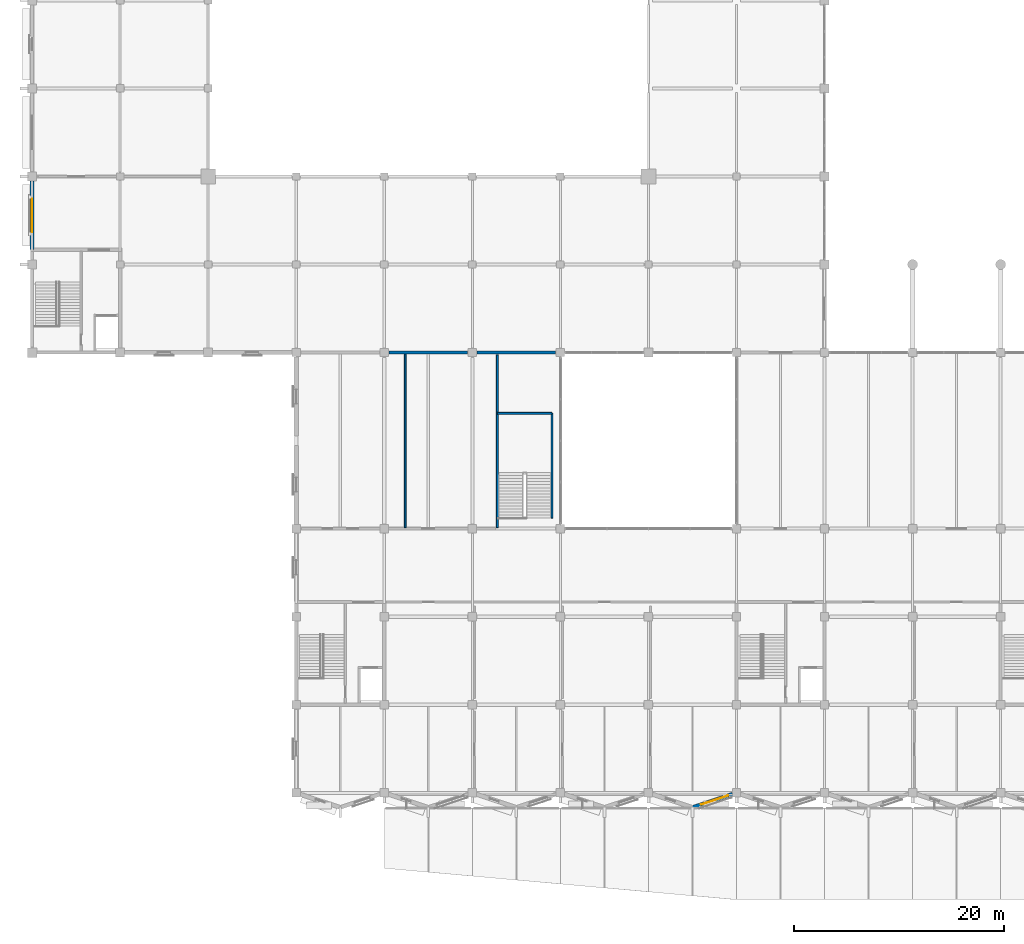
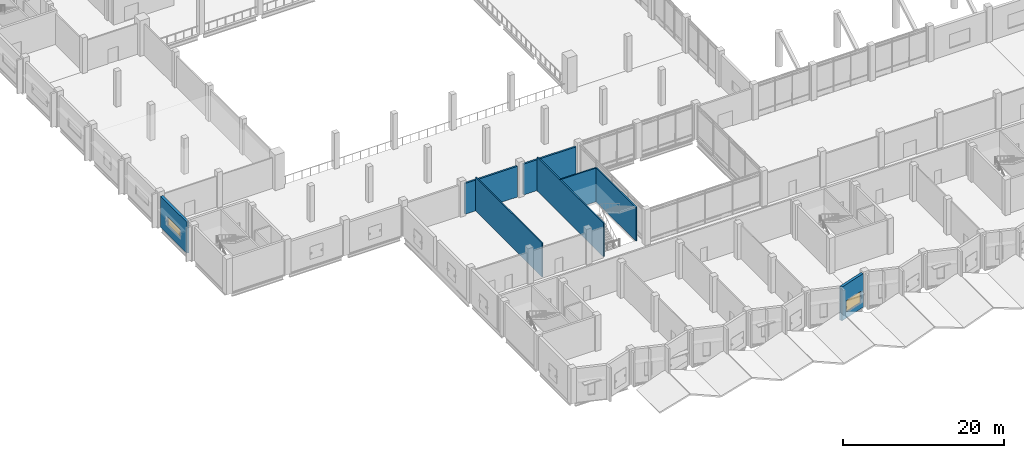
# One storey, part 49 of 72: 8 walls, 2 windows, 2 openings.
"""IFC4 building model written with IfcOpenShell, lengths in metres."""

from ifc_helpers import new_model, si_unit, direction, frame, frame_2d, origin, place, context, subcontext, project, spatial, rectangle, extrude, material, layer, layer_set, type_object, element, fill, save


model = new_model("IFC4")

# Units and contexts
model_context = context("Model", 3, precision=1e-05, world=origin(), true_north=direction((0.0, 1.0)))
body_context = subcontext(model_context, "Body", "Model", "MODEL_VIEW")
ifc_project = project(units=[si_unit("LENGTHUNIT", "METRE"), si_unit("AREAUNIT", "SQUARE_METRE"), si_unit("VOLUMEUNIT", "CUBIC_METRE"), si_unit("PLANEANGLEUNIT", "RADIAN"), si_unit("MASSUNIT", "GRAM", prefix="KILO")], contexts=[model_context])

# Site, building, storey
site_placement = place(None, origin())
site = spatial("IfcSite", under=ifc_project, at=site_placement, CompositionType="ELEMENT")
building_placement = place(site_placement, origin())
building = spatial("IfcBuilding", under=site, at=building_placement, Name="Qawsi Khor Wholesale Market", CompositionType="ELEMENT")
storey_placement = place(building_placement, frame((0.0, 0.0, 6.0)))
storey = spatial("IfcBuildingStorey", under=building, at=storey_placement, Name="L01", CompositionType="ELEMENT", Elevation=6.0)

# Walls
ifc_material_1 = material(Name="Concrete Blockwork & Plaster", Category="masonry")
ifc_layer_1 = layer(ifc_material_1, 0.25, Name="Concrete Blockwork & Plaster")
ifc_layer_set_1 = layer_set([ifc_layer_1], Name="Concrete Blockwork & Plaster")
wall_type_1 = type_object("IfcWallType", Name="Fire Compartment Masonry Wall 250", PredefinedType="SOLIDWALL", material=ifc_layer_set_1)
for number, where, z_axis, x_axis, name in (
    (1, (34.050048828125, 42.0, 0.0), (0.0, 0.0, 1.0), (1.0, 0.0, 0.0), "Grid F fire compartment wall L01-04"),
    (2, (42.449951171875, 42.0, 0.0), (0.0, 0.0, 1.0), (1.0, 0.0, 0.0), "Grid F fire compartment wall L01-05"),
):
    element("IfcWall", number, at=place(storey_placement, frame(where, z_axis=z_axis, x_axis=x_axis)), inside=storey, type_object=wall_type_1, Name=name, PredefinedType="SOLIDWALL", context=body_context, shape_type="SweptSolid", body=[
        extrude(rectangle(XDim=7.5, YDim=0.25, at=frame_2d((3.75, 0.0))), origin(), (0.0, 0.0, 1.0), 4.669921875),
    ])
ifc_material_2 = material(Name="Concrete C40/50", Category="concrete")
ifc_layer_2 = layer(ifc_material_2, 0.18994140625, Name="Concrete C40/50")
ifc_layer_set_2 = layer_set([ifc_layer_2], Name="Concrete C40/50")
wall_type_2 = type_object("IfcWallType", Name="Stairwell Enclosure Wall RC 190", PredefinedType="SOLIDWALL", material=ifc_layer_set_2)
wall_1_placement = place(storey_placement, frame((44.39990234375, 25.300048828125, 0.0), z_axis=(0.0, 0.0, 1.0), x_axis=(0.0, 1.0, 0.0)))
element("IfcWall", 3, at=wall_1_placement, inside=storey, type_object=wall_type_2, Name="Atrium stair enclosure W W L01", PredefinedType="SOLIDWALL", context=body_context, shape_type="SweptSolid", body=[
    extrude(rectangle(XDim=16.489990234375, YDim=0.18994140625, at=frame_2d((8.2451171875, 0.0))), origin(), (0.0, 0.0, 1.0), 5.1201171875),
])
wall_2_placement = place(storey_placement, frame((44.39990234375, 36.199951171875, 0.0), z_axis=(0.0, 0.0, 1.0), x_axis=(1.0, 0.0, 0.0)))
element("IfcWall", 4, at=wall_2_placement, inside=storey, type_object=wall_type_2, Name="Atrium stair enclosure N W L01", PredefinedType="SOLIDWALL", context=body_context, shape_type="SweptSolid", body=[
    extrude(rectangle(XDim=5.2001953125, YDim=0.18994140625, at=frame_2d((2.60009765625, 0.0))), origin(), (0.0, 0.0, 1.0), 5.1201171875),
])
wall_3_placement = place(storey_placement, frame((49.60009765625, 26.199951171875, 0.0), z_axis=(0.0, 0.0, 1.0), x_axis=(0.0, 1.0, 0.0)))
element("IfcWall", 5, at=wall_3_placement, inside=storey, type_object=wall_type_2, Name="Atrium stair enclosure E W L01", PredefinedType="SOLIDWALL", context=body_context, shape_type="SweptSolid", body=[
    extrude(rectangle(XDim=10.0, YDim=0.18994140625, at=frame_2d((5.0, 0.0))), origin(), (0.0, 0.0, 1.0), 5.1201171875),
])

# Wall, opening, window
ifc_layer_3 = layer(ifc_material_2, 0.35009765625, Name="Concrete C40/50")
ifc_layer_set_3 = layer_set([ifc_layer_3], Name="Concrete C40/50")
wall_type_3 = type_object("IfcWallType", Name="Trading Hall Precast Concrete Wall 350", PredefinedType="SOLIDWALL", material=ifc_layer_set_3)
wall_4_placement = place(storey_placement, frame((0.0, 51.85009765625, 0.0), z_axis=(0.0, 0.0, 1.0), x_axis=(0.0, 1.0, 0.0)))
wall_4 = element("IfcWall", 6, at=wall_4_placement, inside=storey, type_object=wall_type_3, Name="EW-L01-WHW-06", PredefinedType="SOLIDWALL", context=body_context, shape_type="SweptSolid", body=[
    extrude(rectangle(XDim=6.52001953125, YDim=0.35009765625, at=frame_2d((3.260009765625, 0.0))), origin(), (0.0, 0.0, 1.0), 4.72998046875),
])
opening_1_placement = place(wall_4_placement, frame((1.635009765625, 0.0, 1.35009765625)))
opening_1 = element("IfcOpeningElement", 7, at=opening_1_placement, cuts=wall_4, Name="Opening W-13", PredefinedType="OPENING", context=body_context, shape_type="SweptSolid", body=[
    extrude(rectangle(XDim=3.199951171875, YDim=1.300048828125, at=frame_2d((1.60009765625, 0.64990234375))), frame((0.0, 0.18505859375, 0.0), z_axis=(0.0, -1.0, 0.0), x_axis=(1.0, 0.0, 0.0)), (0.0, 0.0, 1.0), 0.3701171875),
])
ifc_material_3 = material(Name="Thermally Broken Aluminium & Low-E Glass", Category="aluminium")
window_type_1 = type_object("IfcWindowType", Name="Win W-13 Hall East/West Clerestory 3200x1300", PartitioningType="SINGLE_PANEL", PredefinedType="WINDOW", material=ifc_material_3)
window_1_placement = place(opening_1_placement, origin())
window_1 = element("IfcWindow", 8, at=window_1_placement, inside=storey, type_object=window_type_1, Name="Win W-13 Hall East/West Clerestory 3200x1300 148", OverallHeight=1.300048828125, OverallWidth=3.199951171875, PartitioningType="SINGLE_PANEL", PredefinedType="WINDOW", context=body_context, shape_type="SweptSolid", body=[
    extrude(rectangle(XDim=3.199951171875, YDim=1.300048828125, at=frame_2d((1.60009765625, 0.64990234375))), frame((0.0, 0.030029296875, 0.0), z_axis=(0.0, -1.0, 0.0), x_axis=(1.0, 0.0, 0.0)), (0.0, 0.0, 1.0), 0.06005859375),
])
fill(opening_1, window_1)

ifc_layer_4 = layer(ifc_material_2, 0.3701171875, Name="Concrete C40/50")
ifc_layer_set_4 = layer_set([ifc_layer_4], Name="Concrete C40/50")
wall_type_4 = type_object("IfcWallType", Name="Turned-Bay Concrete Facade Wall 370", PredefinedType="SOLIDWALL", material=ifc_layer_set_4)
wall_5_placement = place(storey_placement, frame((66.81591796875, -0.128173828125, 0.0), z_axis=(0.0, 0.0, 1.0), x_axis=(-0.94870150572, -0.316173137767, 0.0)))
wall_5 = element("IfcWall", 9, at=wall_5_placement, inside=storey, type_object=wall_type_4, Name="EW-L01-SBAY-10", PredefinedType="SOLIDWALL", context=body_context, shape_type="SweptSolid", body=[
    extrude(rectangle(XDim=4.022216796875, YDim=0.3701171875, at=frame_2d((2.01123046875, 0.0))), origin(), (0.0, 0.0, 1.0), 5.1201171875),
])
opening_2_placement = place(wall_5_placement, frame((0.4580078125, 0.0, 0.89990234375)))
opening_2 = element("IfcOpeningElement", 10, at=opening_2_placement, cuts=wall_5, Name="Opening W-09", PredefinedType="OPENING", context=body_context, shape_type="SweptSolid", body=[
    extrude(rectangle(XDim=2.699951171875, YDim=1.75, at=frame_2d((1.35009765625, 0.875))), frame((0.0, 0.195068359375, 0.0), z_axis=(0.0, -1.0, 0.0), x_axis=(1.0, 0.0, 0.0)), (0.0, 0.0, 1.0), 0.39013671875),
])
window_type_2 = type_object("IfcWindowType", Name="Win W-09 Clearinghouse Wide 2700x1750", PartitioningType="SINGLE_PANEL", PredefinedType="WINDOW", material=ifc_material_3)
window_2_placement = place(opening_2_placement, origin())
window_2 = element("IfcWindow", 11, at=window_2_placement, inside=storey, type_object=window_type_2, Name="Win W-09 Clearinghouse Wide 2700x1750 010", OverallHeight=1.75, OverallWidth=2.699951171875, PartitioningType="SINGLE_PANEL", PredefinedType="WINDOW", context=body_context, shape_type="SweptSolid", body=[
    extrude(rectangle(XDim=2.699951171875, YDim=1.75, at=frame_2d((1.35009765625, 0.875))), frame((0.0, 0.030029296875, 0.0), z_axis=(0.0, -1.0, 0.0), x_axis=(1.0, 0.0, 0.0)), (0.0, 0.0, 1.0), 0.06005859375),
])
fill(opening_2, window_2)

# Wall
ifc_material_4 = material(Name="Cementitious Tile Backer Board", Category="gypsum")
ifc_layer_5 = layer(ifc_material_4, 0.1650390625, Name="Cementitious Tile Backer Board")
ifc_layer_set_5 = layer_set([ifc_layer_5], Name="Cementitious Tile Backer Board")
wall_type_5 = type_object("IfcWallType", Name="Wet-Area Tile-Backed Partition 165", PredefinedType="PARTITIONING", material=ifc_layer_set_5)
wall_6_placement = place(storey_placement, frame((35.60009765625, 25.304931640625, 0.0), z_axis=(0.0, 0.0, 1.0), x_axis=(0.0, 1.0, 0.0)))
element("IfcWall", 12, at=wall_6_placement, inside=storey, type_object=wall_type_5, Name="PW-L01-068", PredefinedType="PARTITIONING", context=body_context, shape_type="SweptSolid", body=[
    extrude(rectangle(XDim=16.570068359375, YDim=0.1650390625, at=frame_2d((8.28515625, 0.0))), origin(), (0.0, 0.0, 1.0), 5.1201171875),
])

save(model, "model.ifc")
